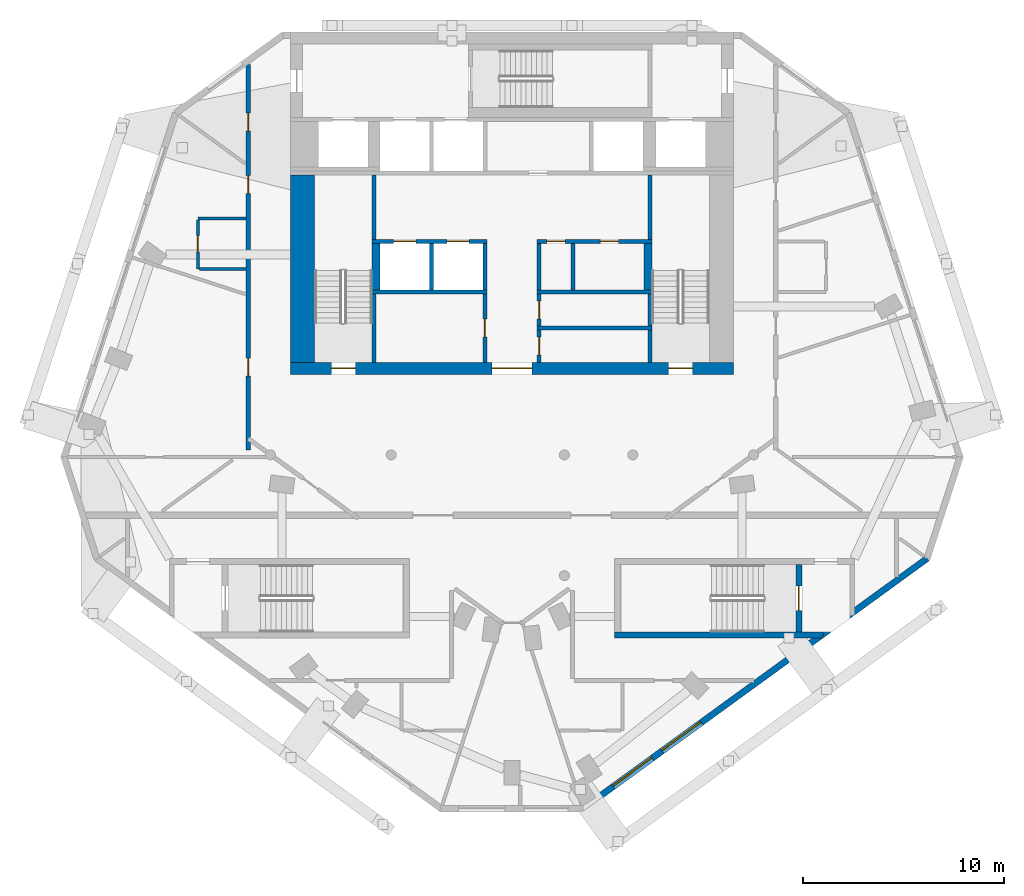
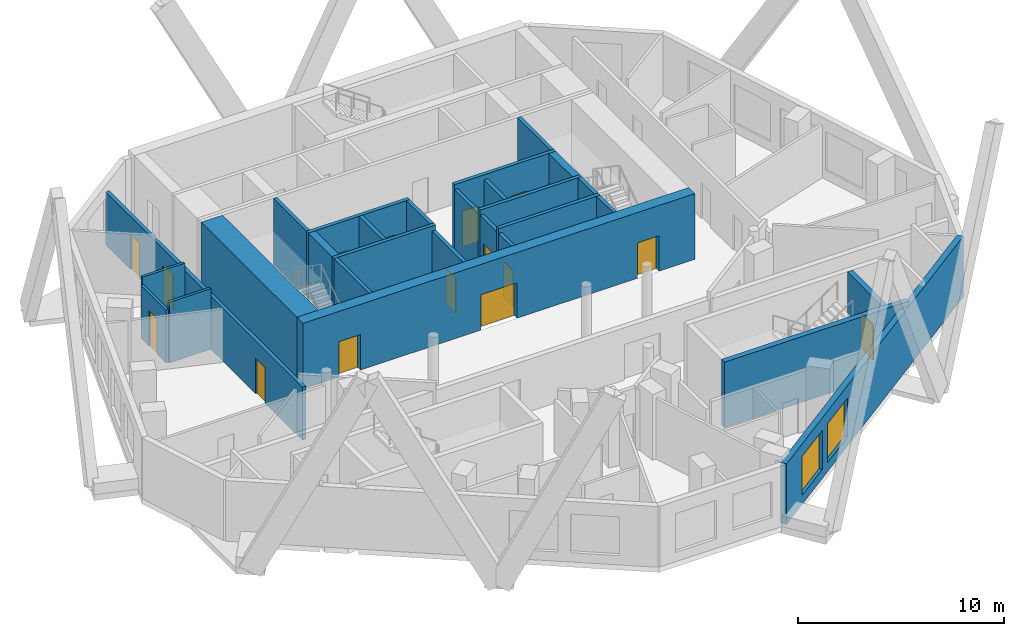
# One storey, part 4 of 8: 28 walls, 15 doors, 2 windows, 17 openings.
"""IFC4 building model written with IfcOpenShell, lengths in metres."""

from ifc_helpers import new_model, si_unit, direction, frame, frame_2d, origin, place, context, subcontext, project, spatial, rectangle, extrude, material, layer, layer_set, type_object, element, fill, save


model = new_model("IFC4")

# Units and contexts
model_context = context("Model", 3, precision=1e-05, world=origin(), true_north=direction((0.0, 1.0)))
body_context = subcontext(model_context, "Body", "Model", "MODEL_VIEW")
ifc_project = project(units=[si_unit("LENGTHUNIT", "METRE"), si_unit("AREAUNIT", "SQUARE_METRE"), si_unit("VOLUMEUNIT", "CUBIC_METRE"), si_unit("PLANEANGLEUNIT", "RADIAN"), si_unit("MASSUNIT", "GRAM", prefix="KILO")], contexts=[model_context])

# Site, building, storey
site_placement = place(None, origin())
site = spatial("IfcSite", under=ifc_project, at=site_placement, CompositionType="ELEMENT")
building_placement = place(site_placement, origin())
building = spatial("IfcBuilding", under=site, at=building_placement, Name="White Candle Pilgrim Tower", CompositionType="ELEMENT")
storey_placement = place(building_placement, frame((0.0, 0.0, 306.10009765625)))
storey = spatial("IfcBuildingStorey", under=building, at=storey_placement, Name="L72", CompositionType="ELEMENT", Elevation=306.10009765625)

# Wall, openings, doors
ifc_material_1 = material(Name="Gypsum board on steel studs", Category="steel")
ifc_layer_1 = layer(ifc_material_1, 0.199951171875)
ifc_layer_set_1 = layer_set([ifc_layer_1], Name="Corridor wall 200 mm EI 45")
wall_type_1 = type_object("IfcWallType", Name="Corridor wall 200 mm EI 45", PredefinedType="PARTITIONING", material=ifc_layer_set_1)
wall_1_placement = place(storey_placement, frame((56.89990234375, 67.252197265625, 0.0), z_axis=(0.0, 0.0, 1.0), x_axis=(0.0, 1.0, 0.0)))
wall_1 = element("IfcWall", 1, at=wall_1_placement, inside=storey, type_object=wall_type_1, Name="WL-L72-P004", PredefinedType="PARTITIONING", context=body_context, shape_type="SweptSolid", body=[
    extrude(rectangle(XDim=19.14404296875, YDim=0.199951171875, at=frame_2d((9.572021484375, 0.0))), origin(), (0.0, 0.0, 1.0), 3.14990234375),
])
opening_1_placement = place(wall_1_placement, frame((3.655517578125, 0.0, 0.0)))
opening_1 = element("IfcOpeningElement", 2, at=opening_1_placement, cuts=wall_1, Name="Opening T22-110", PredefinedType="OPENING", context=body_context, shape_type="SweptSolid", body=[
    extrude(rectangle(XDim=0.89990234375, YDim=2.10009765625, at=frame_2d((0.449951171875, 1.050048828125))), frame((0.0, 0.10986328125, 0.0), z_axis=(0.0, -1.0, 0.0), x_axis=(1.0, 0.0, 0.0)), (0.0, 0.0, 1.0), 0.219970703125),
])
opening_2_placement = place(wall_1_placement, frame((12.722412109375, 0.0, 0.0)))
opening_2 = element("IfcOpeningElement", 3, at=opening_2_placement, cuts=wall_1, Name="Opening T22-111", PredefinedType="OPENING", context=body_context, shape_type="SweptSolid", body=[
    extrude(rectangle(XDim=0.89990234375, YDim=2.10009765625, at=frame_2d((0.449951171875, 1.050048828125))), frame((0.0, 0.10986328125, 0.0), z_axis=(0.0, -1.0, 0.0), x_axis=(1.0, 0.0, 0.0)), (0.0, 0.0, 1.0), 0.219970703125),
])
opening_3_placement = place(wall_1_placement, frame((15.822509765625, 0.0, 0.0)))
opening_3 = element("IfcOpeningElement", 4, at=opening_3_placement, cuts=wall_1, Name="Opening T22-112", PredefinedType="OPENING", context=body_context, shape_type="SweptSolid", body=[
    extrude(rectangle(XDim=0.89990234375, YDim=2.10009765625, at=frame_2d((0.449951171875, 1.050048828125))), frame((0.0, 0.10986328125, 0.0), z_axis=(0.0, -1.0, 0.0), x_axis=(1.0, 0.0, 0.0)), (0.0, 0.0, 1.0), 0.219970703125),
])
ifc_material_2 = material(Name="Steel door leaf", Category="steel")
door_type_1 = type_object("IfcDoorType", Name="Fire door 900 x 2100 EI 30", OperationType="NOTDEFINED", PredefinedType="DOOR", material=ifc_material_2)
door_1_placement = place(opening_1_placement, origin())
door_1 = element("IfcDoor", 5, at=door_1_placement, inside=storey, type_object=door_type_1, Name="Door T22-110", OperationType="SINGLE_SWING_RIGHT", OverallHeight=2.10009765625, OverallWidth=0.89990234375, PredefinedType="DOOR", context=body_context, shape_type="SweptSolid", body=[
    extrude(rectangle(XDim=0.89990234375, YDim=2.10009765625, at=frame_2d((0.449951171875, 1.050048828125))), frame((0.0, 0.02490234375, 0.0), z_axis=(0.0, -1.0, 0.0), x_axis=(1.0, 0.0, 0.0)), (0.0, 0.0, 1.0), 0.050048828125),
])
fill(opening_1, door_1)
door_2_placement = place(opening_2_placement, origin())
door_2 = element("IfcDoor", 6, at=door_2_placement, inside=storey, type_object=door_type_1, Name="Door T22-111", OperationType="SINGLE_SWING_LEFT", OverallHeight=2.10009765625, OverallWidth=0.89990234375, PredefinedType="DOOR", context=body_context, shape_type="SweptSolid", body=[
    extrude(rectangle(XDim=0.89990234375, YDim=2.10009765625, at=frame_2d((0.449951171875, 1.050048828125))), frame((0.0, 0.02490234375, 0.0), z_axis=(0.0, -1.0, 0.0), x_axis=(1.0, 0.0, 0.0)), (0.0, 0.0, 1.0), 0.050048828125),
])
fill(opening_2, door_2)
door_3_placement = place(opening_3_placement, origin())
door_3 = element("IfcDoor", 7, at=door_3_placement, inside=storey, type_object=door_type_1, Name="Door T22-112", OperationType="SINGLE_SWING_RIGHT", OverallHeight=2.10009765625, OverallWidth=0.89990234375, PredefinedType="DOOR", context=body_context, shape_type="SweptSolid", body=[
    extrude(rectangle(XDim=0.89990234375, YDim=2.10009765625, at=frame_2d((0.449951171875, 1.050048828125))), frame((0.0, 0.02490234375, 0.0), z_axis=(0.0, -1.0, 0.0), x_axis=(1.0, 0.0, 0.0)), (0.0, 0.0, 1.0), 0.050048828125),
])
fill(opening_3, door_3)

# Wall, openings, windows
ifc_material_3 = material(Name="Precast concrete C40/50", Category="concrete")
ifc_layer_2 = layer(ifc_material_3, 0.320068359375)
ifc_layer_set_2 = layer_set([ifc_layer_2], Name="Facade wall EW1 precast concrete C40/50 pier wall with timber-lined reveals")
wall_type_2 = type_object("IfcWallType", Name="Facade wall EW1 precast concrete C40/50 pier wall with timber-lined reveals", PredefinedType="SOLIDWALL", material=ifc_layer_set_2)
wall_2_placement = place(storey_placement, frame((73.521484375, 49.42822265625, 0.0), z_axis=(0.0, 0.0, 1.0), x_axis=(0.809014717996, 0.587788385447, 0.0)))
wall_2 = element("IfcWall", 8, at=wall_2_placement, inside=storey, type_object=wall_type_2, Name="Facade wall L72 SE", PredefinedType="SOLIDWALL", context=body_context, shape_type="SweptSolid", body=[
    extrude(rectangle(XDim=21.1357421875, YDim=0.320068359375, at=frame_2d((10.56787109375, 0.0))), origin(), (0.0, 0.0, 1.0), 3.599853515625),
])
opening_4_placement = place(wall_2_placement, frame((1.867919921875, 0.0, 0.550048828125)))
opening_4 = element("IfcOpeningElement", 9, at=opening_4_placement, cuts=wall_2, Name="Opening W5", PredefinedType="OPENING", context=body_context, shape_type="SweptSolid", body=[
    extrude(rectangle(XDim=2.39990234375, YDim=2.300048828125, at=frame_2d((1.199951171875, 1.14990234375))), frame((0.0, 0.169921875, 0.0), z_axis=(0.0, -1.0, 0.0), x_axis=(1.0, 0.0, 0.0)), (0.0, 0.0, 1.0), 0.340087890625),
])
opening_5_placement = place(wall_2_placement, frame((4.867919921875, 0.0, 0.550048828125)))
opening_5 = element("IfcOpeningElement", 10, at=opening_5_placement, cuts=wall_2, Name="Opening W5", PredefinedType="OPENING", context=body_context, shape_type="SweptSolid", body=[
    extrude(rectangle(XDim=2.39990234375, YDim=2.300048828125, at=frame_2d((1.199951171875, 1.14990234375))), frame((0.0, 0.169921875, 0.0), z_axis=(0.0, -1.0, 0.0), x_axis=(1.0, 0.0, 0.0)), (0.0, 0.0, 1.0), 0.340087890625),
])
ifc_material_4 = material(Name="Timber frame with triple glazing", Category="wood")
window_type = type_object("IfcWindowType", Name="Window W5 2400x2300 timber frame triple glazing", PartitioningType="SINGLE_PANEL", PredefinedType="WINDOW", material=ifc_material_4)
window_1_placement = place(opening_4_placement, origin())
window_1 = element("IfcWindow", 11, at=window_1_placement, inside=storey, type_object=window_type, Name="Window W5 L72 SE 1", OverallHeight=2.300048828125, OverallWidth=2.39990234375, PartitioningType="SINGLE_PANEL", PredefinedType="WINDOW", context=body_context, shape_type="SweptSolid", body=[
    extrude(rectangle(XDim=2.39990234375, YDim=2.300048828125, at=frame_2d((1.199951171875, 1.14990234375))), frame((0.0, 0.070068359375, 0.0), z_axis=(0.0, -1.0, 0.0), x_axis=(1.0, 0.0, 0.0)), (0.0, 0.0, 1.0), 0.06005859375),
])
fill(opening_4, window_1)
window_2_placement = place(opening_5_placement, origin())
window_2 = element("IfcWindow", 12, at=window_2_placement, inside=storey, type_object=window_type, Name="Window W5 L72 SE 2", OverallHeight=2.300048828125, OverallWidth=2.39990234375, PartitioningType="SINGLE_PANEL", PredefinedType="WINDOW", context=body_context, shape_type="SweptSolid", body=[
    extrude(rectangle(XDim=2.39990234375, YDim=2.300048828125, at=frame_2d((1.199951171875, 1.14990234375))), frame((0.0, 0.070068359375, 0.0), z_axis=(0.0, -1.0, 0.0), x_axis=(1.0, 0.0, 0.0)), (0.0, 0.0, 1.0), 0.06005859375),
])
fill(opening_5, window_2)

# Wall, opening, door
ifc_layer_3 = layer(ifc_material_1, 0.199951171875)
ifc_layer_set_3 = layer_set([ifc_layer_3], Name="Lobby wall 200 mm EI 60")
wall_type_3 = type_object("IfcWallType", Name="Lobby wall 200 mm EI 60", PredefinedType="PARTITIONING", material=ifc_layer_set_3)
wall_3_placement = place(storey_placement, frame((68.64990234375, 71.60009765625, 0.0), z_axis=(0.0, 0.0, 1.0), x_axis=(0.0, 1.0, 0.0)))
wall_3 = element("IfcWall", 13, at=wall_3_placement, inside=storey, type_object=wall_type_3, Name="WL-L72-C14", PredefinedType="PARTITIONING", context=body_context, shape_type="SweptSolid", body=[
    extrude(rectangle(XDim=3.39990234375, YDim=0.199951171875, at=frame_2d((1.699951171875, 0.0))), origin(), (0.0, 0.0, 1.0), 3.599853515625),
])
opening_6_placement = place(wall_3_placement, frame((1.25, 0.0, 0.0)))
opening_6 = element("IfcOpeningElement", 14, at=opening_6_placement, cuts=wall_3, Name="Opening T22-005", PredefinedType="OPENING", context=body_context, shape_type="SweptSolid", body=[
    extrude(rectangle(XDim=0.89990234375, YDim=2.10009765625, at=frame_2d((0.449951171875, 1.050048828125))), frame((0.0, 0.10986328125, 0.0), z_axis=(0.0, -1.0, 0.0), x_axis=(1.0, 0.0, 0.0)), (0.0, 0.0, 1.0), 0.219970703125),
])
door_4_placement = place(opening_6_placement, origin())
door_4 = element("IfcDoor", 15, at=door_4_placement, inside=storey, type_object=door_type_1, Name="Door T22-005", OperationType="SINGLE_SWING_LEFT", OverallHeight=2.10009765625, OverallWidth=0.89990234375, PredefinedType="DOOR", context=body_context, shape_type="SweptSolid", body=[
    extrude(rectangle(XDim=0.89990234375, YDim=2.10009765625, at=frame_2d((0.449951171875, 1.050048828125))), frame((0.0, 0.02490234375, 0.0), z_axis=(0.0, -1.0, 0.0), x_axis=(1.0, 0.0, 0.0)), (0.0, 0.0, 1.0), 0.050048828125),
])
fill(opening_6, door_4)

wall_4_placement = place(storey_placement, frame((71.35009765625, 71.60009765625, 0.0), z_axis=(0.0, 0.0, 1.0), x_axis=(0.0, 1.0, 0.0)))
wall_4 = element("IfcWall", 16, at=wall_4_placement, inside=storey, type_object=wall_type_3, Name="WL-L72-C15", PredefinedType="PARTITIONING", context=body_context, shape_type="SweptSolid", body=[
    extrude(rectangle(XDim=1.599853515625, YDim=0.199951171875, at=frame_2d((0.7998046875, 0.0))), origin(), (0.0, 0.0, 1.0), 3.599853515625),
])
opening_7_placement = place(wall_4_placement, frame((0.35009765625, 0.0, 0.0)))
opening_7 = element("IfcOpeningElement", 17, at=opening_7_placement, cuts=wall_4, Name="Opening T22-006", PredefinedType="OPENING", context=body_context, shape_type="SweptSolid", body=[
    extrude(rectangle(XDim=0.89990234375, YDim=2.10009765625, at=frame_2d((0.449951171875, 1.050048828125))), frame((0.0, 0.10986328125, 0.0), z_axis=(0.0, -1.0, 0.0), x_axis=(1.0, 0.0, 0.0)), (0.0, 0.0, 1.0), 0.219970703125),
])
door_5_placement = place(opening_7_placement, origin())
door_5 = element("IfcDoor", 18, at=door_5_placement, inside=storey, type_object=door_type_1, Name="Door T22-006", OperationType="SINGLE_SWING_RIGHT", OverallHeight=2.10009765625, OverallWidth=0.89990234375, PredefinedType="DOOR", context=body_context, shape_type="SweptSolid", body=[
    extrude(rectangle(XDim=0.89990234375, YDim=2.10009765625, at=frame_2d((0.449951171875, 1.050048828125))), frame((0.0, 0.02490234375, 0.0), z_axis=(0.0, -1.0, 0.0), x_axis=(1.0, 0.0, 0.0)), (0.0, 0.0, 1.0), 0.050048828125),
])
fill(opening_7, door_5)

wall_5_placement = place(storey_placement, frame((71.35009765625, 73.39990234375, 0.0), z_axis=(0.0, 0.0, 1.0), x_axis=(0.0, 1.0, 0.0)))
wall_5 = element("IfcWall", 19, at=wall_5_placement, inside=storey, type_object=wall_type_3, Name="WL-L72-C19", PredefinedType="PARTITIONING", context=body_context, shape_type="SweptSolid", body=[
    extrude(rectangle(XDim=1.60009765625, YDim=0.199951171875, at=frame_2d((0.800048828125, 0.0))), origin(), (0.0, 0.0, 1.0), 3.599853515625),
])
opening_8_placement = place(wall_5_placement, frame((0.35009765625, 0.0, 0.0)))
opening_8 = element("IfcOpeningElement", 20, at=opening_8_placement, cuts=wall_5, Name="Opening T22-007", PredefinedType="OPENING", context=body_context, shape_type="SweptSolid", body=[
    extrude(rectangle(XDim=0.89990234375, YDim=2.10009765625, at=frame_2d((0.449951171875, 1.050048828125))), frame((0.0, 0.10986328125, 0.0), z_axis=(0.0, -1.0, 0.0), x_axis=(1.0, 0.0, 0.0)), (0.0, 0.0, 1.0), 0.219970703125),
])
door_6_placement = place(opening_8_placement, origin())
door_6 = element("IfcDoor", 21, at=door_6_placement, inside=storey, type_object=door_type_1, Name="Door T22-007", OperationType="SINGLE_SWING_LEFT", OverallHeight=2.10009765625, OverallWidth=0.89990234375, PredefinedType="DOOR", context=body_context, shape_type="SweptSolid", body=[
    extrude(rectangle(XDim=0.89990234375, YDim=2.10009765625, at=frame_2d((0.449951171875, 1.050048828125))), frame((0.0, 0.02490234375, 0.0), z_axis=(0.0, -1.0, 0.0), x_axis=(1.0, 0.0, 0.0)), (0.0, 0.0, 1.0), 0.050048828125),
])
fill(opening_8, door_6)

# Walls
for number, where, z_axis, x_axis, name in (
    (22, (71.35009765625, 75.199951171875, 0.0), (0.0, 0.0, 1.0), (0.0, 1.0, 0.0), "WL-L72-C26"),
    (23, (73.02001953125, 75.199951171875, 0.0), (0.0, 0.0, 1.0), (0.0, 1.0, 0.0), "WL-L72-C27"),
):
    element("IfcWall", number, at=place(storey_placement, frame(where, z_axis=z_axis, x_axis=x_axis)), inside=storey, type_object=wall_type_3, Name=name, PredefinedType="PARTITIONING", context=body_context, shape_type="SweptSolid", body=[
        extrude(rectangle(XDim=2.300048828125, YDim=0.199951171875, at=frame_2d((1.14990234375, 0.0))), origin(), (0.0, 0.0, 1.0), 3.599853515625),
    ])
ifc_layer_4 = layer(ifc_material_1, 0.14990234375)
ifc_layer_set_4 = layer_set([ifc_layer_4], Name="Partition 150 mm EI 60")
wall_type_4 = type_object("IfcWallType", Name="Partition 150 mm EI 60", PredefinedType="PARTITIONING", material=ifc_layer_set_4)
wall_6_placement = place(storey_placement, frame((56.800048828125, 78.735107421875, 0.0), z_axis=(0.0, 0.0, 1.0), x_axis=(-1.0, 0.0, 0.0)))
element("IfcWall", 24, at=wall_6_placement, inside=storey, type_object=wall_type_4, Name="WL-L72-P026", PredefinedType="PARTITIONING", context=body_context, shape_type="SweptSolid", body=[
    extrude(rectangle(XDim=2.400146484375, YDim=0.14990234375, at=frame_2d((1.2001953125, 0.0))), origin(), (0.0, 0.0, 1.0), 3.599853515625),
])

# Wall, opening, door
wall_7_placement = place(storey_placement, frame((54.39990234375, 76.235107421875, 0.0), z_axis=(0.0, 0.0, 1.0), x_axis=(0.0, 1.0, 0.0)))
wall_7 = element("IfcWall", 25, at=wall_7_placement, inside=storey, type_object=wall_type_4, Name="WL-L72-P027", PredefinedType="PARTITIONING", context=body_context, shape_type="SweptSolid", body=[
    extrude(rectangle(XDim=2.425048828125, YDim=0.14990234375, at=frame_2d((1.21240234375, 0.0))), origin(), (0.0, 0.0, 1.0), 3.14990234375),
])
opening_9_placement = place(wall_7_placement, frame((0.85009765625, 0.0, 0.0)))
opening_9 = element("IfcOpeningElement", 26, at=opening_9_placement, cuts=wall_7, Name="Opening T22-101", PredefinedType="OPENING", context=body_context, shape_type="SweptSolid", body=[
    extrude(rectangle(XDim=0.800048828125, YDim=2.10009765625, at=frame_2d((0.39990234375, 1.050048828125))), frame((0.0, 0.0849609375, 0.0), z_axis=(0.0, -1.0, 0.0), x_axis=(1.0, 0.0, 0.0)), (0.0, 0.0, 1.0), 0.169921875),
])
door_type_2 = type_object("IfcDoorType", Name="Fire door 800 x 2100 EI 30", OperationType="NOTDEFINED", PredefinedType="DOOR", material=ifc_material_2)
door_7_placement = place(opening_9_placement, origin())
door_7 = element("IfcDoor", 27, at=door_7_placement, inside=storey, type_object=door_type_2, Name="Door T22-101", OperationType="SINGLE_SWING_LEFT", OverallHeight=2.10009765625, OverallWidth=0.800048828125, PredefinedType="DOOR", context=body_context, shape_type="SweptSolid", body=[
    extrude(rectangle(XDim=0.800048828125, YDim=2.10009765625, at=frame_2d((0.39990234375, 1.050048828125))), frame((0.0, 0.02490234375, 0.0), z_axis=(0.0, -1.0, 0.0), x_axis=(1.0, 0.0, 0.0)), (0.0, 0.0, 1.0), 0.050048828125),
])
fill(opening_9, door_7)

# Walls
wall_8_placement = place(storey_placement, frame((56.800048828125, 76.235107421875, 0.0), z_axis=(0.0, 0.0, 1.0), x_axis=(-1.0, 0.0, 0.0)))
element("IfcWall", 28, at=wall_8_placement, inside=storey, type_object=wall_type_4, Name="WL-L72-P028", PredefinedType="PARTITIONING", context=body_context, shape_type="SweptSolid", body=[
    extrude(rectangle(XDim=2.324951171875, YDim=0.14990234375, at=frame_2d((1.16259765625, 0.0))), origin(), (0.0, 0.0, 1.0), 3.599853515625),
])
ifc_material_5 = material(Name="Concrete C40/50", Category="concrete")
ifc_layer_5 = layer(ifc_material_5, 0.199951171875)
ifc_layer_set_5 = layer_set([ifc_layer_5], Name="Shaft wall 200 mm Concrete C40/50")
wall_type_5 = type_object("IfcWallType", Name="Shaft wall 200 mm Concrete C40/50", PredefinedType="SHEAR", material=ifc_layer_set_5)
for number, where, z_axis, x_axis, name in (
    (29, (66.0, 75.199951171875, 0.0), (0.0, 0.0, 1.0), (0.0, 1.0, 0.0), "WL-L72-C24"),
    (30, (68.64990234375, 75.199951171875, 0.0), (0.0, 0.0, 1.0), (0.0, 1.0, 0.0), "WL-L72-C25"),
):
    element("IfcWall", number, at=place(storey_placement, frame(where, z_axis=z_axis, x_axis=x_axis)), inside=storey, type_object=wall_type_5, Name=name, PredefinedType="SHEAR", context=body_context, shape_type="SweptSolid", body=[
        extrude(rectangle(XDim=2.300048828125, YDim=0.199951171875, at=frame_2d((1.14990234375, 0.0))), origin(), (0.0, 0.0, 1.0), 3.89990234375),
    ])
ifc_layer_6 = layer(ifc_material_5, 1.199951171875)
ifc_layer_set_6 = layer_set([ifc_layer_6], Name="Stair shaft wall 1200 mm Concrete C40/50")
wall_type_6 = type_object("IfcWallType", Name="Stair shaft wall 1200 mm Concrete C40/50", PredefinedType="SHEAR", material=ifc_layer_set_6)
wall_9_placement = place(storey_placement, frame((59.60009765625, 71.60009765625, 0.0), z_axis=(0.0, 0.0, 1.0), x_axis=(0.0, 1.0, 0.0)))
element("IfcWall", 31, at=wall_9_placement, inside=storey, type_object=wall_type_6, Name="WL-L72-C12", PredefinedType="SHEAR", context=body_context, shape_type="SweptSolid", body=[
    extrude(rectangle(XDim=9.2998046875, YDim=1.199951171875, at=frame_2d((4.64990234375, 0.0))), origin(), (0.0, 0.0, 1.0), 3.89990234375),
])
ifc_layer_7 = layer(ifc_material_5, 0.199951171875)
ifc_layer_set_7 = layer_set([ifc_layer_7], Name="Stair shaft wall 200 mm Concrete C40/50")
wall_type_7 = type_object("IfcWallType", Name="Stair shaft wall 200 mm Concrete C40/50", PredefinedType="SHEAR", material=ifc_layer_set_7)
wall_10_placement = place(storey_placement, frame((63.14990234375, 71.60009765625, 0.0), z_axis=(0.0, 0.0, 1.0), x_axis=(0.0, 1.0, 0.0)))
element("IfcWall", 32, at=wall_10_placement, inside=storey, type_object=wall_type_7, Name="WL-L72-C13", PredefinedType="SHEAR", context=body_context, shape_type="SweptSolid", body=[
    extrude(rectangle(XDim=3.39990234375, YDim=0.199951171875, at=frame_2d((1.699951171875, 0.0))), origin(), (0.0, 0.0, 1.0), 3.89990234375),
])
wall_11_placement = place(storey_placement, frame((76.85009765625, 71.60009765625, 0.0), z_axis=(0.0, 0.0, 1.0), x_axis=(0.0, 1.0, 0.0)))
element("IfcWall", 33, at=wall_11_placement, inside=storey, type_object=wall_type_7, Name="WL-L72-C16", PredefinedType="SHEAR", context=body_context, shape_type="SweptSolid", body=[
    extrude(rectangle(XDim=1.599853515625, YDim=0.199951171875, at=frame_2d((0.7998046875, 0.0))), origin(), (0.0, 0.0, 1.0), 3.89990234375),
])
wall_12_placement = place(storey_placement, frame((71.25, 73.300048828125, 0.0), z_axis=(0.0, 0.0, 1.0), x_axis=(1.0, 0.0, 0.0)))
element("IfcWall", 34, at=wall_12_placement, inside=storey, type_object=wall_type_7, Name="WL-L72-C18", PredefinedType="SHEAR", context=body_context, shape_type="SweptSolid", body=[
    extrude(rectangle(XDim=5.699951171875, YDim=0.199951171875, at=frame_2d((2.85009765625, 0.0))), origin(), (0.0, 0.0, 1.0), 3.89990234375),
])
wall_13_placement = place(storey_placement, frame((76.85009765625, 73.39990234375, 0.0), z_axis=(0.0, 0.0, 1.0), x_axis=(0.0, 1.0, 0.0)))
element("IfcWall", 35, at=wall_13_placement, inside=storey, type_object=wall_type_7, Name="WL-L72-C20", PredefinedType="SHEAR", context=body_context, shape_type="SweptSolid", body=[
    extrude(rectangle(XDim=1.60009765625, YDim=0.199951171875, at=frame_2d((0.800048828125, 0.0))), origin(), (0.0, 0.0, 1.0), 3.89990234375),
])
for number, where, z_axis, x_axis, name in (
    (36, (63.050048828125, 75.10009765625, 0.0), (0.0, 0.0, 1.0), (1.0, 0.0, 0.0), "WL-L72-C21"),
    (37, (71.25, 75.10009765625, 0.0), (0.0, 0.0, 1.0), (1.0, 0.0, 0.0), "WL-L72-C22"),
):
    element("IfcWall", number, at=place(storey_placement, frame(where, z_axis=z_axis, x_axis=x_axis)), inside=storey, type_object=wall_type_7, Name=name, PredefinedType="SHEAR", context=body_context, shape_type="SweptSolid", body=[
        extrude(rectangle(XDim=5.699951171875, YDim=0.199951171875, at=frame_2d((2.85009765625, 0.0))), origin(), (0.0, 0.0, 1.0), 3.89990234375),
    ])

# Wall, openings, doors
wall_14_placement = place(storey_placement, frame((63.050048828125, 77.60009765625, 0.0), z_axis=(0.0, 0.0, 1.0), x_axis=(1.0, 0.0, 0.0)))
wall_14 = element("IfcWall", 38, at=wall_14_placement, inside=storey, type_object=wall_type_7, Name="WL-L72-C29", PredefinedType="SHEAR", context=body_context, shape_type="SweptSolid", body=[
    extrude(rectangle(XDim=5.699951171875, YDim=0.199951171875, at=frame_2d((2.85009765625, 0.0))), origin(), (0.0, 0.0, 1.0), 3.89990234375),
])
opening_10_placement = place(wall_14_placement, frame((1.074951171875, 0.0, 0.0)))
opening_10 = element("IfcOpeningElement", 39, at=opening_10_placement, cuts=wall_14, Name="Opening T22-014", PredefinedType="OPENING", context=body_context, shape_type="SweptSolid", body=[
    extrude(rectangle(XDim=1.10009765625, YDim=2.10009765625, at=frame_2d((0.550048828125, 1.050048828125))), frame((0.0, 0.10986328125, 0.0), z_axis=(0.0, -1.0, 0.0), x_axis=(1.0, 0.0, 0.0)), (0.0, 0.0, 1.0), 0.219970703125),
])
opening_11_placement = place(wall_14_placement, frame((3.72509765625, 0.0, 0.0)))
opening_11 = element("IfcOpeningElement", 40, at=opening_11_placement, cuts=wall_14, Name="Opening T22-015", PredefinedType="OPENING", context=body_context, shape_type="SweptSolid", body=[
    extrude(rectangle(XDim=1.10009765625, YDim=2.10009765625, at=frame_2d((0.550048828125, 1.050048828125))), frame((0.0, 0.10986328125, 0.0), z_axis=(0.0, -1.0, 0.0), x_axis=(1.0, 0.0, 0.0)), (0.0, 0.0, 1.0), 0.219970703125),
])
ifc_material_6 = material(Name="Stainless steel", Category="steel")
door_type_3 = type_object("IfcDoorType", Name="Lift landing door 1100 x 2100 E 60", OperationType="DOUBLE_DOOR_SLIDING", PredefinedType="DOOR", material=ifc_material_6)
door_8_placement = place(opening_10_placement, origin())
door_8 = element("IfcDoor", 41, at=door_8_placement, inside=storey, type_object=door_type_3, Name="Door T22-014", OperationType="DOUBLE_DOOR_SLIDING", OverallHeight=2.10009765625, OverallWidth=1.10009765625, PredefinedType="DOOR", context=body_context, shape_type="SweptSolid", body=[
    extrude(rectangle(XDim=1.10009765625, YDim=2.10009765625, at=frame_2d((0.550048828125, 1.050048828125))), frame((0.0, 0.02490234375, 0.0), z_axis=(0.0, -1.0, 0.0), x_axis=(1.0, 0.0, 0.0)), (0.0, 0.0, 1.0), 0.050048828125),
])
fill(opening_10, door_8)
door_9_placement = place(opening_11_placement, origin())
door_9 = element("IfcDoor", 42, at=door_9_placement, inside=storey, type_object=door_type_3, Name="Door T22-015", OperationType="DOUBLE_DOOR_SLIDING", OverallHeight=2.10009765625, OverallWidth=1.10009765625, PredefinedType="DOOR", context=body_context, shape_type="SweptSolid", body=[
    extrude(rectangle(XDim=1.10009765625, YDim=2.10009765625, at=frame_2d((0.550048828125, 1.050048828125))), frame((0.0, 0.02490234375, 0.0), z_axis=(0.0, -1.0, 0.0), x_axis=(1.0, 0.0, 0.0)), (0.0, 0.0, 1.0), 0.050048828125),
])
fill(opening_11, door_9)

wall_15_placement = place(storey_placement, frame((71.25, 77.60009765625, 0.0), z_axis=(0.0, 0.0, 1.0), x_axis=(1.0, 0.0, 0.0)))
wall_15 = element("IfcWall", 43, at=wall_15_placement, inside=storey, type_object=wall_type_7, Name="WL-L72-C30", PredefinedType="SHEAR", context=body_context, shape_type="SweptSolid", body=[
    extrude(rectangle(XDim=5.699951171875, YDim=0.199951171875, at=frame_2d((2.85009765625, 0.0))), origin(), (0.0, 0.0, 1.0), 3.89990234375),
])
opening_12_placement = place(wall_15_placement, frame((0.485107421875, 0.0, 0.0)))
opening_12 = element("IfcOpeningElement", 44, at=opening_12_placement, cuts=wall_15, Name="Opening T22-020", PredefinedType="OPENING", context=body_context, shape_type="SweptSolid", body=[
    extrude(rectangle(XDim=0.89990234375, YDim=2.10009765625, at=frame_2d((0.449951171875, 1.050048828125))), frame((0.0, 0.10986328125, 0.0), z_axis=(0.0, -1.0, 0.0), x_axis=(1.0, 0.0, 0.0)), (0.0, 0.0, 1.0), 0.219970703125),
])
opening_13_placement = place(wall_15_placement, frame((3.135009765625, 0.0, 0.0)))
opening_13 = element("IfcOpeningElement", 45, at=opening_13_placement, cuts=wall_15, Name="Opening T22-021", PredefinedType="OPENING", context=body_context, shape_type="SweptSolid", body=[
    extrude(rectangle(XDim=0.89990234375, YDim=2.10009765625, at=frame_2d((0.449951171875, 1.050048828125))), frame((0.0, 0.10986328125, 0.0), z_axis=(0.0, -1.0, 0.0), x_axis=(1.0, 0.0, 0.0)), (0.0, 0.0, 1.0), 0.219970703125),
])
door_10_placement = place(opening_12_placement, origin())
door_10 = element("IfcDoor", 46, at=door_10_placement, inside=storey, type_object=door_type_1, Name="Door T22-020", OperationType="SINGLE_SWING_RIGHT", OverallHeight=2.10009765625, OverallWidth=0.89990234375, PredefinedType="DOOR", context=body_context, shape_type="SweptSolid", body=[
    extrude(rectangle(XDim=0.89990234375, YDim=2.10009765625, at=frame_2d((0.449951171875, 1.050048828125))), frame((0.0, 0.02490234375, 0.0), z_axis=(0.0, -1.0, 0.0), x_axis=(1.0, 0.0, 0.0)), (0.0, 0.0, 1.0), 0.050048828125),
])
fill(opening_12, door_10)
door_11_placement = place(opening_13_placement, origin())
door_11 = element("IfcDoor", 47, at=door_11_placement, inside=storey, type_object=door_type_1, Name="Door T22-021", OperationType="SINGLE_SWING_LEFT", OverallHeight=2.10009765625, OverallWidth=0.89990234375, PredefinedType="DOOR", context=body_context, shape_type="SweptSolid", body=[
    extrude(rectangle(XDim=0.89990234375, YDim=2.10009765625, at=frame_2d((0.449951171875, 1.050048828125))), frame((0.0, 0.02490234375, 0.0), z_axis=(0.0, -1.0, 0.0), x_axis=(1.0, 0.0, 0.0)), (0.0, 0.0, 1.0), 0.050048828125),
])
fill(opening_13, door_11)

# Walls
for number, where, z_axis, x_axis, name in (
    (48, (63.14990234375, 77.699951171875, 0.0), (0.0, 0.0, 1.0), (0.0, 1.0, 0.0), "WL-L72-C31"),
    (49, (76.85009765625, 77.699951171875, 0.0), (0.0, 0.0, 1.0), (0.0, 1.0, 0.0), "WL-L72-C32"),
):
    element("IfcWall", number, at=place(storey_placement, frame(where, z_axis=z_axis, x_axis=x_axis)), inside=storey, type_object=wall_type_7, Name=name, PredefinedType="SHEAR", context=body_context, shape_type="SweptSolid", body=[
        extrude(rectangle(XDim=3.199951171875, YDim=0.199951171875, at=frame_2d((1.60009765625, 0.0))), origin(), (0.0, 0.0, 1.0), 3.89990234375),
    ])
ifc_layer_8 = layer(ifc_material_5, 0.300048828125)
ifc_layer_set_8 = layer_set([ifc_layer_8], Name="Stair shaft wall 300 mm Concrete C40/50")
wall_type_8 = type_object("IfcWallType", Name="Stair shaft wall 300 mm Concrete C40/50", PredefinedType="SHEAR", material=ifc_layer_set_8)
wall_16_placement = place(storey_placement, frame((75.10009765625, 58.050048828125, 0.0), z_axis=(0.0, 0.0, 1.0), x_axis=(1.0, 0.0, 0.0)))
element("IfcWall", 50, at=wall_16_placement, inside=storey, type_object=wall_type_8, Name="WL-L72-C02", PredefinedType="SHEAR", context=body_context, shape_type="SweptSolid", body=[
    extrude(rectangle(XDim=10.35400390625, YDim=0.300048828125, at=frame_2d((5.177001953125, 0.0))), origin(), (0.0, 0.0, 1.0), 3.89990234375),
])

# Wall, opening, door
wall_17_placement = place(storey_placement, frame((84.25, 58.199951171875, 0.0), z_axis=(0.0, 0.0, 1.0), x_axis=(0.0, 1.0, 0.0)))
wall_17 = element("IfcWall", 51, at=wall_17_placement, inside=storey, type_object=wall_type_8, Name="WL-L72-C06", PredefinedType="SHEAR", context=body_context, shape_type="SweptSolid", body=[
    extrude(rectangle(XDim=3.35009765625, YDim=0.300048828125, at=frame_2d((1.675048828125, 0.0))), origin(), (0.0, 0.0, 1.0), 3.89990234375),
])
opening_14_placement = place(wall_17_placement, frame((1.074951171875, 0.0, 0.0)))
opening_14 = element("IfcOpeningElement", 52, at=opening_14_placement, cuts=wall_17, Name="Opening T22-013", PredefinedType="OPENING", context=body_context, shape_type="SweptSolid", body=[
    extrude(rectangle(XDim=1.199951171875, YDim=2.10009765625, at=frame_2d((0.60009765625, 1.050048828125))), frame((0.0, 0.159912109375, 0.0), z_axis=(0.0, -1.0, 0.0), x_axis=(1.0, 0.0, 0.0)), (0.0, 0.0, 1.0), 0.320068359375),
])
door_type_4 = type_object("IfcDoorType", Name="Fire door 1200 x 2100 EI 60", OperationType="NOTDEFINED", PredefinedType="DOOR", material=ifc_material_2)
door_12_placement = place(opening_14_placement, origin())
door_12 = element("IfcDoor", 53, at=door_12_placement, inside=storey, type_object=door_type_4, Name="Door T22-013", OperationType="SINGLE_SWING_LEFT", OverallHeight=2.10009765625, OverallWidth=1.199951171875, PredefinedType="DOOR", context=body_context, shape_type="SweptSolid", body=[
    extrude(rectangle(XDim=1.199951171875, YDim=2.10009765625, at=frame_2d((0.60009765625, 1.050048828125))), frame((0.0, 0.02490234375, 0.0), z_axis=(0.0, -1.0, 0.0), x_axis=(1.0, 0.0, 0.0)), (0.0, 0.0, 1.0), 0.050048828125),
])
fill(opening_14, door_12)

# Walls
ifc_layer_9 = layer(ifc_material_5, 0.39990234375)
ifc_layer_set_9 = layer_set([ifc_layer_9], Name="Stair shaft wall 400 mm Concrete C40/50")
wall_type_9 = type_object("IfcWallType", Name="Stair shaft wall 400 mm Concrete C40/50", PredefinedType="SHEAR", material=ifc_layer_set_9)
for number, where, z_axis, x_axis, name in (
    (54, (63.25, 75.199951171875, 0.0), (0.0, 0.0, 1.0), (0.0, 1.0, 0.0), "WL-L72-C23"),
    (55, (76.75, 75.199951171875, 0.0), (0.0, 0.0, 1.0), (0.0, 1.0, 0.0), "WL-L72-C28"),
):
    element("IfcWall", number, at=place(storey_placement, frame(where, z_axis=z_axis, x_axis=x_axis)), inside=storey, type_object=wall_type_9, Name=name, PredefinedType="SHEAR", context=body_context, shape_type="SweptSolid", body=[
        extrude(rectangle(XDim=2.300048828125, YDim=0.39990234375, at=frame_2d((1.14990234375, 0.0))), origin(), (0.0, 0.0, 1.0), 3.89990234375),
    ])

# Wall, openings, doors
ifc_layer_10 = layer(ifc_material_5, 0.60009765625)
ifc_layer_set_10 = layer_set([ifc_layer_10], Name="Stair shaft wall 600 mm Concrete C40/50")
wall_type_10 = type_object("IfcWallType", Name="Stair shaft wall 600 mm Concrete C40/50", PredefinedType="SHEAR", material=ifc_layer_set_10)
wall_18_placement = place(storey_placement, frame((59.0, 71.300048828125, 0.0), z_axis=(0.0, 0.0, 1.0), x_axis=(1.0, 0.0, 0.0)))
wall_18 = element("IfcWall", 56, at=wall_18_placement, inside=storey, type_object=wall_type_10, Name="WL-L72-C11", PredefinedType="SHEAR", context=body_context, shape_type="SweptSolid", body=[
    extrude(rectangle(XDim=22.0, YDim=0.60009765625, at=frame_2d((11.0, 0.0))), origin(), (0.0, 0.0, 1.0), 3.89990234375),
])
opening_15_placement = place(wall_18_placement, frame((2.02490234375, 0.0, 0.0)))
opening_15 = element("IfcOpeningElement", 57, at=opening_15_placement, cuts=wall_18, Name="Opening T22-001", PredefinedType="OPENING", context=body_context, shape_type="SweptSolid", body=[
    extrude(rectangle(XDim=1.199951171875, YDim=2.10009765625, at=frame_2d((0.60009765625, 1.050048828125))), frame((0.0, 0.31005859375, 0.0), z_axis=(0.0, -1.0, 0.0), x_axis=(1.0, 0.0, 0.0)), (0.0, 0.0, 1.0), 0.6201171875),
])
opening_16_placement = place(wall_18_placement, frame((18.77490234375, 0.0, 0.0)))
opening_16 = element("IfcOpeningElement", 58, at=opening_16_placement, cuts=wall_18, Name="Opening T22-002", PredefinedType="OPENING", context=body_context, shape_type="SweptSolid", body=[
    extrude(rectangle(XDim=1.199951171875, YDim=2.10009765625, at=frame_2d((0.60009765625, 1.050048828125))), frame((0.0, 0.31005859375, 0.0), z_axis=(0.0, -1.0, 0.0), x_axis=(1.0, 0.0, 0.0)), (0.0, 0.0, 1.0), 0.6201171875),
])
opening_17_placement = place(wall_18_placement, frame((10.0, 0.0, 0.0)))
opening_17 = element("IfcOpeningElement", 59, at=opening_17_placement, cuts=wall_18, Name="Opening T22-004", PredefinedType="OPENING", context=body_context, shape_type="SweptSolid", body=[
    extrude(rectangle(XDim=2.0, YDim=2.10009765625, at=frame_2d((1.0, 1.050048828125))), frame((0.0, 0.31005859375, 0.0), z_axis=(0.0, -1.0, 0.0), x_axis=(1.0, 0.0, 0.0)), (0.0, 0.0, 1.0), 0.6201171875),
])
door_13_placement = place(opening_15_placement, frame((1.199951171875, 0.0, 0.0), z_axis=(0.0, 0.0, 1.0), x_axis=(-1.0, 0.0, 0.0)))
door_13 = element("IfcDoor", 60, at=door_13_placement, inside=storey, type_object=door_type_4, Name="Door T22-001", OperationType="SINGLE_SWING_RIGHT", OverallHeight=2.10009765625, OverallWidth=1.199951171875, PredefinedType="DOOR", context=body_context, shape_type="SweptSolid", body=[
    extrude(rectangle(XDim=1.199951171875, YDim=2.10009765625, at=frame_2d((0.60009765625, 1.050048828125))), frame((0.0, 0.02490234375, 0.0), z_axis=(0.0, -1.0, 0.0), x_axis=(1.0, 0.0, 0.0)), (0.0, 0.0, 1.0), 0.050048828125),
])
fill(opening_15, door_13)
door_14_placement = place(opening_16_placement, frame((1.199951171875, 0.0, 0.0), z_axis=(0.0, 0.0, 1.0), x_axis=(-1.0, 0.0, 0.0)))
door_14 = element("IfcDoor", 61, at=door_14_placement, inside=storey, type_object=door_type_4, Name="Door T22-002", OperationType="SINGLE_SWING_LEFT", OverallHeight=2.10009765625, OverallWidth=1.199951171875, PredefinedType="DOOR", context=body_context, shape_type="SweptSolid", body=[
    extrude(rectangle(XDim=1.199951171875, YDim=2.10009765625, at=frame_2d((0.60009765625, 1.050048828125))), frame((0.0, 0.02490234375, 0.0), z_axis=(0.0, -1.0, 0.0), x_axis=(1.0, 0.0, 0.0)), (0.0, 0.0, 1.0), 0.050048828125),
])
fill(opening_16, door_14)
door_type_5 = type_object("IfcDoorType", Name="Fire door 2000 x 2100 EI 60", OperationType="NOTDEFINED", PredefinedType="DOOR", material=ifc_material_2)
door_15_placement = place(opening_17_placement, frame((2.0, 0.0, 0.0), z_axis=(0.0, 0.0, 1.0), x_axis=(-1.0, 0.0, 0.0)))
door_15 = element("IfcDoor", 62, at=door_15_placement, inside=storey, type_object=door_type_5, Name="Door T22-004", OperationType="DOUBLE_DOOR_SINGLE_SWING", OverallHeight=2.10009765625, OverallWidth=2.0, PredefinedType="DOOR", context=body_context, shape_type="SweptSolid", body=[
    extrude(rectangle(XDim=2.0, YDim=2.10009765625, at=frame_2d((1.0, 1.050048828125))), frame((0.0, 0.02490234375, 0.0), z_axis=(0.0, -1.0, 0.0), x_axis=(1.0, 0.0, 0.0)), (0.0, 0.0, 1.0), 0.050048828125),
])
fill(opening_17, door_15)

save(model, "model.ifc")
